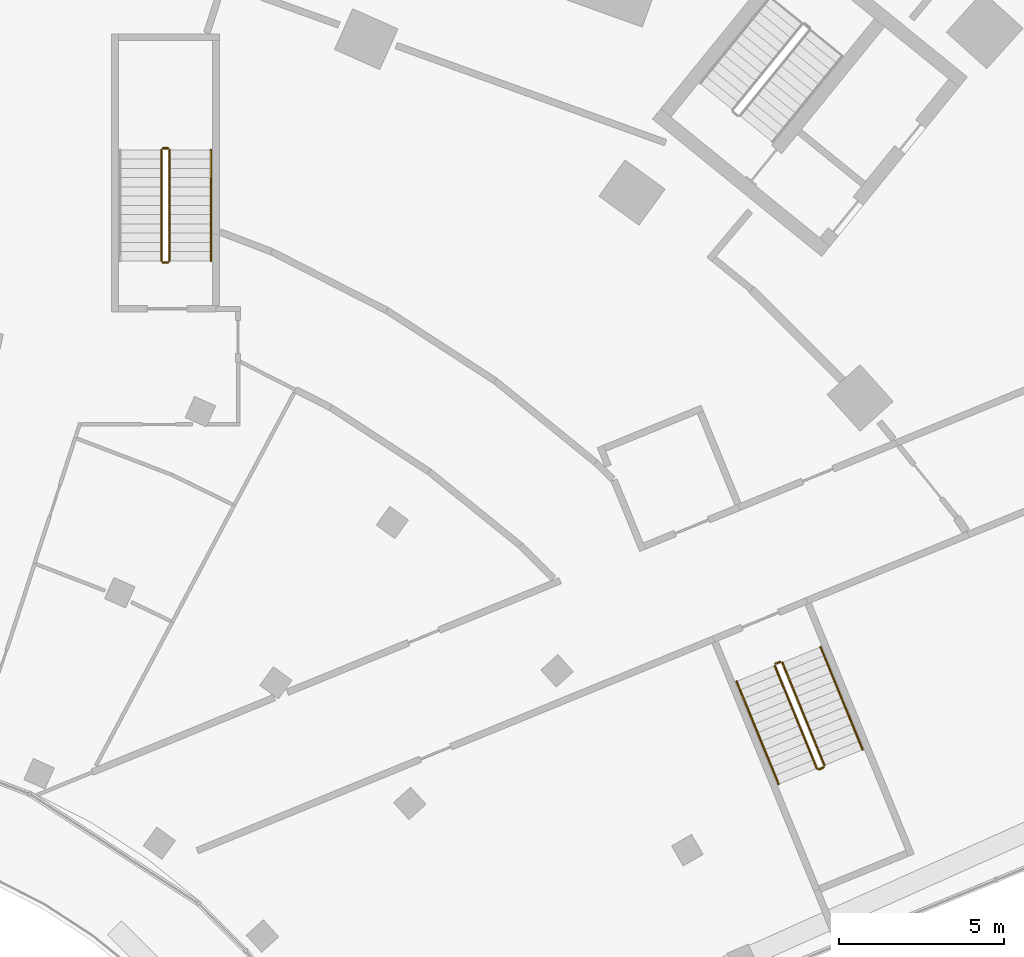
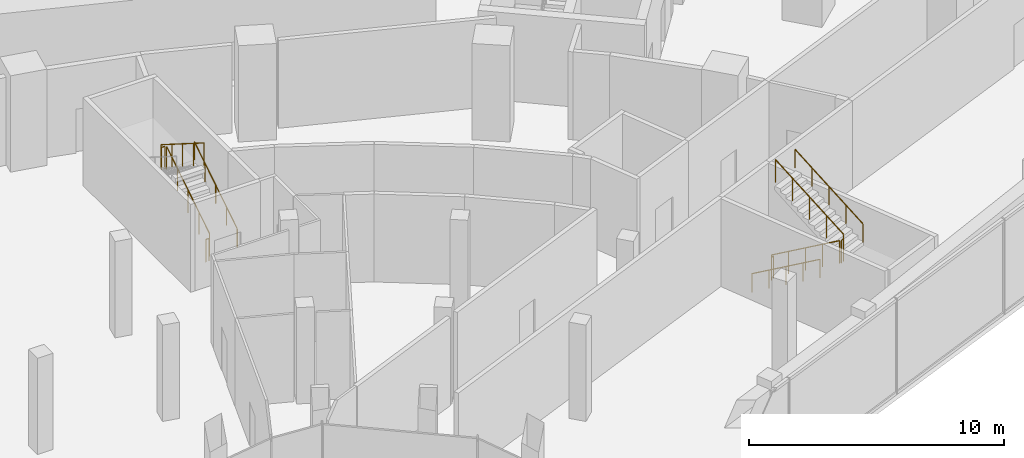
# One storey, part 36 of 40: 11 railings.
"""IFC4 building model written with IfcOpenShell, lengths in metres."""

import ifcopenshell
import ifcopenshell.guid

model = None  # the IFC model being written
_history = None  # IfcOwnerHistory: only IFC2X3 demands one
_inside = {}  # id of a spatial element -> (the spatial element, [elements in it])
_under = {}  # id of a project, library or spatial element -> (it, [spatial elements below it])
_declared = {}  # id of a project -> (the project, [libraries it declares])
_typed = {}  # id of a type object -> (the type object, [elements of that type])
_made_of = {}  # id of a material, layer set ... -> (it, [elements and type objects made of it])


def new_model(schema):
    """Start an empty IFC model of exactly this schema.

    Asked for "IFC4X3", IfcOpenShell would pick the latest addendum, in which some entities
    have other attributes; the version numbers below select the first issue.
    IFC2X3 requires an IfcOwnerHistory on every rooted entity: one is made here for all.
    """
    global model, _history
    if schema == "IFC4X3":
        model = ifcopenshell.file(schema_version=(4, 3, 0, 0))
    else:
        model = ifcopenshell.file(schema=schema)
    _inside.clear()
    _under.clear()
    _declared.clear()
    _typed.clear()
    _made_of.clear()
    _history = None
    if model.schema == "IFC2X3":
        org = make("IfcOrganization", Name="unknown")
        user = make(
            "IfcPersonAndOrganization",
            ThePerson=make("IfcPerson", FamilyName="unknown"),
            TheOrganization=org,
        )
        app = make(
            "IfcApplication",
            ApplicationDeveloper=org,
            Version="unknown",
            ApplicationFullName="unknown",
            ApplicationIdentifier="unknown",
        )
        _history = make(
            "IfcOwnerHistory",
            OwningUser=user,
            OwningApplication=app,
            ChangeAction="ADDED",
            CreationDate=0,
        )
    return model


def make(cls, **values):
    """One entity of the class cls with the attributes given. An attribute that is None is left unset."""
    return model.create_entity(
        cls, **{name: value for name, value in values.items() if value is not None}
    )


def rooted(cls, **values):
    """An entity with a GlobalId (a new one), such as an element, a storey or a relation."""
    return make(cls, GlobalId=ifcopenshell.guid.new(), OwnerHistory=_history, **values)


def si_unit(unit_type, name, prefix=None):
    """IfcSIUnit, for example si_unit("LENGTHUNIT", "METRE", prefix="MILLI")."""
    return make("IfcSIUnit", UnitType=unit_type, Prefix=prefix, Name=name)


def assignment(units):
    """IfcUnitAssignment: the units of a project."""
    return None if units is None else make("IfcUnitAssignment", Units=units)


def point(xyz):
    """IfcCartesianPoint."""
    return None if xyz is None else make("IfcCartesianPoint", Coordinates=xyz)


def direction(xyz):
    """IfcDirection."""
    return None if xyz is None else make("IfcDirection", DirectionRatios=xyz)


def frame(location, z_axis=None, x_axis=None):
    """IfcAxis2Placement3D, a coordinate frame: its origin and axes. An axis left out is left unset."""
    return make(
        "IfcAxis2Placement3D",
        Location=point(location),
        Axis=direction(z_axis),
        RefDirection=direction(x_axis),
    )


def frame_2d(location, x_axis=None):
    """IfcAxis2Placement2D, a coordinate frame in the plane: its origin and x axis."""
    return make(
        "IfcAxis2Placement2D", Location=point(location), RefDirection=direction(x_axis)
    )


def origin():
    """The frame at (0, 0, 0) with its axes left unset."""
    return frame((0.0, 0.0, 0.0))


def origin_2d():
    """The frame at (0, 0) in the plane with its x axis left unset."""
    return frame_2d((0.0, 0.0))


def place(relative_to, where):
    """IfcLocalPlacement: puts the frame where relative to a parent placement (None: the world)."""
    return make(
        "IfcLocalPlacement", PlacementRelTo=relative_to, RelativePlacement=where
    )


def context(
    kind, dimensions, precision=None, world=None, true_north=None, identifier=None
):
    """IfcGeometricRepresentationContext, for example the 3D "Model" context."""
    return make(
        "IfcGeometricRepresentationContext",
        ContextIdentifier=identifier,
        ContextType=kind,
        CoordinateSpaceDimension=dimensions,
        Precision=precision,
        WorldCoordinateSystem=world,
        TrueNorth=true_north,
    )


def subcontext(parent, identifier, kind, view, scale=None):
    """IfcGeometricRepresentationSubContext, for example "Body" below "Model"."""
    return make(
        "IfcGeometricRepresentationSubContext",
        ContextIdentifier=identifier,
        ContextType=kind,
        ParentContext=parent,
        TargetScale=scale,
        TargetView=view,
    )


def project(units=None, contexts=None):
    """IfcProject with its units and contexts."""
    return rooted(
        "IfcProject",
        Name="project",
        RepresentationContexts=contexts,
        UnitsInContext=assignment(units),
    )


def spatial(cls, under=None, at=None, **own):
    """A site, building, storey or space (cls), placed at a placement, below another one or the project."""
    s = rooted(cls, ObjectPlacement=at, **own)
    if under is not None:
        _under.setdefault(under.id(), (under, []))[1].append(s)
    return s


def profile(cls, at=None, kind="AREA", **sizes):
    """A parametric profile (cls). Its sizes go by their IFC names, for example OverallWidth=200.0."""
    return make(cls, ProfileType=kind, Position=at, **sizes)


def circle(**sizes):
    """IfcCircleProfileDef."""
    return profile("IfcCircleProfileDef", **sizes)


def extrude(swept, where, along, depth):
    """IfcExtrudedAreaSolid: the profile swept, set in the frame where, extruded along a direction by depth."""
    return make(
        "IfcExtrudedAreaSolid",
        SweptArea=swept,
        Position=where,
        ExtrudedDirection=direction(along),
        Depth=depth,
    )


def shape(context_of_items, identifier, shape_type, items):
    """IfcShapeRepresentation: the items that make up one representation, for example the "Body"."""
    return make(
        "IfcShapeRepresentation",
        ContextOfItems=context_of_items,
        RepresentationIdentifier=identifier,
        RepresentationType=shape_type,
        Items=items,
    )


def material(Name=None, Category=None):
    """IfcMaterial."""
    return make("IfcMaterial", Name=Name, Category=Category)


def made_of(thing, what):
    """Note that an element or type object is made of a material, layer set ...; save() writes the relation."""
    if what is not None:
        _made_of.setdefault(what.id(), (what, []))[1].append(thing)
    return thing


def type_object(cls, material=None, **own):
    """A type object (cls), such as IfcWallType, which elements share."""
    return made_of(rooted(cls, **own), material)


def element(
    cls,
    number,
    at=None,
    inside=None,
    cuts=None,
    type_object=None,
    material=None,
    context=None,
    identifier="Body",
    shape_type=None,
    held_by="IfcProductDefinitionShape",
    body=None,
    shapes=None,
    **own,
):
    """One element of the class cls, such as IfcWall. Its Tag is "e" and its number.

    at: its placement. inside: the storey or other place that contains it. cuts: it is an
    opening in that element (IfcRelVoidsElement). A single representation is given by context,
    identifier, shape_type and body (its items); several are given by shapes. held_by: the class
    of the entity that holds the representations. save() writes the other relations.
    """
    e = rooted(cls, Tag="e%d" % number, ObjectPlacement=at, **own)
    if body is not None:
        shapes = [shape(context, identifier, shape_type, body)]
    if shapes is not None:
        e.Representation = make(held_by, Representations=shapes)
    if inside is not None:
        _inside.setdefault(inside.id(), (inside, []))[1].append(e)
    if cuts is not None:
        rooted(
            "IfcRelVoidsElement", RelatingBuildingElement=cuts, RelatedOpeningElement=e
        )
    if type_object is not None:
        _typed.setdefault(type_object.id(), (type_object, []))[1].append(e)
    return made_of(e, material)


def aggregate(whole, parts):
    """IfcRelAggregates: a whole, such as a stair, and the parts it consists of."""
    return rooted("IfcRelAggregates", RelatingObject=whole, RelatedObjects=parts)


def save(model, path):
    """Write the relations noted so far, then the file.

    IfcRelAggregates (storeys below a building ...), IfcRelContainedInSpatialStructure (elements
    in a storey), IfcRelDefinesByType, IfcRelAssociatesMaterial and IfcRelDeclares: one each for
    every whole, place, type object, material and project.
    """
    for whole, parts in _under.values():
        aggregate(whole, parts)
    for where, things in _inside.values():
        rooted(
            "IfcRelContainedInSpatialStructure",
            RelatedElements=things,
            RelatingStructure=where,
        )
    for kind, things in _typed.values():
        rooted("IfcRelDefinesByType", RelatedObjects=things, RelatingType=kind)
    for what, things in _made_of.values():
        rooted("IfcRelAssociatesMaterial", RelatedObjects=things, RelatingMaterial=what)
    for by, libraries in _declared.values():
        rooted("IfcRelDeclares", RelatingContext=by, RelatedDefinitions=libraries)
    model.write(path)


model = new_model("IFC4")

# Units and contexts
model_context = context("Model", 3, precision=1e-05, world=origin(), true_north=direction((0.0, 1.0)))
body_context = subcontext(model_context, "Body", "Model", "MODEL_VIEW")
ifc_project = project(units=[si_unit("LENGTHUNIT", "METRE"), si_unit("AREAUNIT", "SQUARE_METRE"), si_unit("VOLUMEUNIT", "CUBIC_METRE"), si_unit("PLANEANGLEUNIT", "RADIAN"), si_unit("MASSUNIT", "GRAM", prefix="KILO")], contexts=[model_context])

# Site, building, storey
site_placement = place(None, origin())
site = spatial("IfcSite", under=ifc_project, at=site_placement, CompositionType="ELEMENT")
building_placement = place(site_placement, origin())
building = spatial("IfcBuilding", under=site, at=building_placement, Name="Stone Belt Terrace Tower", CompositionType="ELEMENT")
storey_placement = place(building_placement, frame((0.0, 0.0, 7.0)))
storey = spatial("IfcBuildingStorey", under=building, at=storey_placement, Name="L01", CompositionType="ELEMENT", Elevation=7.0)

# Railings
ifc_material_1 = material(Name="Steel balustrade", Category="steel")
railing_type_1 = type_object("IfcRailingType", Name="Podium stair guard", PredefinedType="GUARDRAIL", material=ifc_material_1)
railing_1_placement = place(storey_placement, frame((30.445556640625, 21.63232421875, 0.177001953125)))
element("IfcRailing", 1, at=railing_1_placement, inside=storey, type_object=railing_type_1, Name="L01 PS3 stair guard 1", PredefinedType="GUARDRAIL", context=body_context, shape_type="SweptSolid", body=[
    extrude(circle(Radius=0.02392578125, at=origin_2d()), frame((0.0, 0.0, 1.076171875), z_axis=(0.320577273413, -0.782247859152, 0.534152130599), x_axis=(0.92531182595, 0.379207100089, 0.0)), (0.0, 0.0, 1.0), 3.974609375),
    extrude(circle(Radius=0.02099609375, at=origin_2d()), origin(), (0.0, 0.0, 1.0), 1.052001953125),
    extrude(circle(Radius=0.02099609375, at=origin_2d()), frame((0.318603515625, -0.77734375, 0.53076171875)), (0.0, 0.0, 1.0), 1.052001953125),
    extrude(circle(Radius=0.02099609375, at=origin_2d()), frame((0.63720703125, -1.5546875, 1.0615234375)), (0.0, 0.0, 1.0), 1.052001953125),
    extrude(circle(Radius=0.02099609375, at=origin_2d()), frame((0.95556640625, -2.331787109375, 1.59228515625)), (0.0, 0.0, 1.0), 1.052001953125),
    extrude(circle(Radius=0.02099609375, at=origin_2d()), frame((1.274169921875, -3.109130859375, 2.123046875)), (0.0, 0.0, 1.0), 1.052001953125),
])
railing_2_placement = place(storey_placement, frame((31.784912109375, 18.495849609375, 2.300048828125)))
element("IfcRailing", 2, at=railing_2_placement, inside=storey, type_object=railing_type_1, Name="L01 PS3 stair guard 2", PredefinedType="GUARDRAIL", context=body_context, shape_type="SweptSolid", body=[
    extrude(circle(Radius=0.02392578125, at=origin_2d()), frame((0.0, 0.0, 1.076171875), z_axis=(0.925417366351, 0.378949466362, 0.0), x_axis=(-0.378949466362, 0.925417366351, 0.0)), (0.0, 0.0, 1.0), 0.150146484375),
    extrude(circle(Radius=0.02099609375, at=origin_2d()), origin(), (0.0, 0.0, 1.0), 1.052001953125),
    extrude(circle(Radius=0.02099609375, at=origin_2d()), frame((0.138916015625, 0.056884765625, 0.0)), (0.0, 0.0, 1.0), 1.052001953125),
])
railing_3_placement = place(storey_placement, frame((31.951171875, 18.6181640625, 2.476806640625)))
element("IfcRailing", 3, at=railing_3_placement, inside=storey, type_object=railing_type_1, Name="L01 PS3 stair guard 3", PredefinedType="GUARDRAIL", context=body_context, shape_type="SweptSolid", body=[
    extrude(circle(Radius=0.02392578125, at=origin_2d()), frame((0.0, 0.0, 1.076171875), z_axis=(-0.320637269104, 0.782182947274, 0.534211174214), x_axis=(-0.925275877227, -0.379294807533, 0.0)), (0.0, 0.0, 1.0), 3.974609375),
    extrude(circle(Radius=0.02099609375, at=origin_2d()), origin(), (0.0, 0.0, 1.0), 1.052001953125),
    extrude(circle(Radius=0.02099609375, at=origin_2d()), frame((-0.318603515625, 0.77734375, 0.53076171875)), (0.0, 0.0, 1.0), 1.052001953125),
    extrude(circle(Radius=0.02099609375, at=origin_2d()), frame((-0.63720703125, 1.554443359375, 1.0615234375)), (0.0, 0.0, 1.0), 1.052001953125),
    extrude(circle(Radius=0.02099609375, at=origin_2d()), frame((-0.955810546875, 2.33154296875, 1.592529296875)), (0.0, 0.0, 1.0), 1.052001953125),
    extrude(circle(Radius=0.02099609375, at=origin_2d()), frame((-1.2744140625, 3.10888671875, 2.123291015625)), (0.0, 0.0, 1.0), 1.052001953125),
])
railing_4_placement = place(storey_placement, frame((30.472900390625, 21.697509765625, 0.0)))
element("IfcRailing", 4, at=railing_4_placement, inside=storey, type_object=railing_type_1, Name="L01 PS3 stair guard 4", PredefinedType="GUARDRAIL", context=body_context, shape_type="SweptSolid", body=[
    extrude(circle(Radius=0.02392578125, at=origin_2d()), frame((0.0, 0.0, 1.076171875), z_axis=(0.925183283695, 0.379520607572, 0.0), x_axis=(-0.379520607572, 0.925183283695, 0.0)), (0.0, 0.0, 1.0), 0.14990234375),
    extrude(circle(Radius=0.02099609375, at=origin_2d()), origin(), (0.0, 0.0, 1.0), 1.052001953125),
    extrude(circle(Radius=0.02099609375, at=origin_2d()), frame((0.138671875, 0.056884765625, 0.0)), (0.0, 0.0, 1.0), 1.052001953125),
])
railing_5_placement = place(storey_placement, frame((12.125, 33.889892578125, 0.177001953125)))
element("IfcRailing", 5, at=railing_5_placement, inside=storey, type_object=railing_type_1, Name="L01 PS6 stair guard 1", PredefinedType="GUARDRAIL", context=body_context, shape_type="SweptSolid", body=[
    extrude(circle(Radius=0.02392578125, at=origin_2d()), frame((0.0, 0.0, 1.076171875), z_axis=(0.0, 0.845389635667, 0.534150132366), x_axis=(-1.0, 0.0, 0.0)), (0.0, 0.0, 1.0), 3.974609375),
    extrude(circle(Radius=0.02099609375, at=origin_2d()), origin(), (0.0, 0.0, 1.0), 1.052001953125),
    extrude(circle(Radius=0.02099609375, at=origin_2d()), frame((0.0, 0.840087890625, 0.53076171875)), (0.0, 0.0, 1.0), 1.052001953125),
    extrude(circle(Radius=0.02099609375, at=origin_2d()), frame((0.0, 1.68017578125, 1.0615234375)), (0.0, 0.0, 1.0), 1.052001953125),
    extrude(circle(Radius=0.02099609375, at=origin_2d()), frame((0.0, 2.52001953125, 1.59228515625)), (0.0, 0.0, 1.0), 1.052001953125),
    extrude(circle(Radius=0.02099609375, at=origin_2d()), frame((0.0, 3.360107421875, 2.123046875)), (0.0, 0.0, 1.0), 1.052001953125),
])
railing_6_placement = place(storey_placement, frame((12.074951171875, 37.300048828125, 2.300048828125)))
element("IfcRailing", 6, at=railing_6_placement, inside=storey, type_object=railing_type_1, Name="L01 PS6 stair guard 2", PredefinedType="GUARDRAIL", context=body_context, shape_type="SweptSolid", body=[
    extrude(circle(Radius=0.02392578125, at=origin_2d()), frame((0.0, 0.0, 1.076171875), z_axis=(-1.0, 0.0, 0.0), x_axis=(0.0, -1.0, 0.0)), (0.0, 0.0, 1.0), 0.14990234375),
    extrude(circle(Radius=0.02099609375, at=origin_2d()), origin(), (0.0, 0.0, 1.0), 1.052001953125),
    extrude(circle(Radius=0.02099609375, at=origin_2d()), frame((-0.14990234375, 0.0, 0.0)), (0.0, 0.0, 1.0), 1.052001953125),
])
railing_7_placement = place(storey_placement, frame((11.875, 37.25, 2.476806640625)))
element("IfcRailing", 7, at=railing_7_placement, inside=storey, type_object=railing_type_1, Name="L01 PS6 stair guard 3", PredefinedType="GUARDRAIL", context=body_context, shape_type="SweptSolid", body=[
    extrude(circle(Radius=0.02392578125, at=origin_2d()), frame((0.0, 0.0, 1.076171875), z_axis=(0.0, -0.845361898145, 0.534194029511), x_axis=(1.0, 0.0, 0.0)), (0.0, 0.0, 1.0), 3.974853515625),
    extrude(circle(Radius=0.02099609375, at=origin_2d()), origin(), (0.0, 0.0, 1.0), 1.052001953125),
    extrude(circle(Radius=0.02099609375, at=origin_2d()), frame((0.0, -0.840087890625, 0.53076171875)), (0.0, 0.0, 1.0), 1.052001953125),
    extrude(circle(Radius=0.02099609375, at=origin_2d()), frame((0.0, -1.68017578125, 1.0615234375)), (0.0, 0.0, 1.0), 1.052001953125),
    extrude(circle(Radius=0.02099609375, at=origin_2d()), frame((0.0, -2.52001953125, 1.592529296875)), (0.0, 0.0, 1.0), 1.052001953125),
    extrude(circle(Radius=0.02099609375, at=origin_2d()), frame((0.0, -3.360107421875, 2.123291015625)), (0.0, 0.0, 1.0), 1.052001953125),
])
railing_8_placement = place(storey_placement, frame((12.074951171875, 33.840087890625, 0.0)))
element("IfcRailing", 8, at=railing_8_placement, inside=storey, type_object=railing_type_1, Name="L01 PS6 stair guard 4", PredefinedType="GUARDRAIL", context=body_context, shape_type="SweptSolid", body=[
    extrude(circle(Radius=0.02392578125, at=origin_2d()), frame((0.0, 0.0, 1.076171875), z_axis=(-1.0, 0.0, 0.0), x_axis=(0.0, -1.0, 0.0)), (0.0, 0.0, 1.0), 0.14990234375),
    extrude(circle(Radius=0.02099609375, at=origin_2d()), origin(), (0.0, 0.0, 1.0), 1.052001953125),
    extrude(circle(Radius=0.02099609375, at=origin_2d()), frame((-0.14990234375, 0.0, 0.0)), (0.0, 0.0, 1.0), 1.052001953125),
])
ifc_material_2 = material(Name="Stainless steel handrail", Category="steel")
railing_type_2 = type_object("IfcRailingType", Name="Podium stair handrail", PredefinedType="HANDRAIL", material=ifc_material_2)
railing_9_placement = place(storey_placement, frame((29.288818359375, 21.158203125, 0.177001953125)))
element("IfcRailing", 9, at=railing_9_placement, inside=storey, type_object=railing_type_2, Name="L01 PS3 stair handrail 1", PredefinedType="HANDRAIL", context=body_context, shape_type="SweptSolid", body=[
    extrude(circle(Radius=0.02392578125, at=origin_2d()), frame((0.0, 0.0, 0.8759765625), z_axis=(0.320632384185, -0.78223245452, 0.534141611661), x_axis=(0.925286329636, 0.379269308261, 0.0)), (0.0, 0.0, 1.0), 3.974609375),
    extrude(circle(Radius=0.02099609375, at=origin_2d()), origin(), (0.0, 0.0, 1.0), 0.851806640625),
    extrude(circle(Radius=0.02099609375, at=origin_2d()), frame((0.318603515625, -0.77734375, 0.53076171875)), (0.0, 0.0, 1.0), 0.851806640625),
    extrude(circle(Radius=0.02099609375, at=origin_2d()), frame((0.63720703125, -1.5546875, 1.0615234375)), (0.0, 0.0, 1.0), 0.851806640625),
    extrude(circle(Radius=0.02099609375, at=origin_2d()), frame((0.955810546875, -2.331787109375, 1.59228515625)), (0.0, 0.0, 1.0), 0.851806640625),
    extrude(circle(Radius=0.02099609375, at=origin_2d()), frame((1.2744140625, -3.109130859375, 2.123046875)), (0.0, 0.0, 1.0), 0.851806640625),
])
railing_10_placement = place(storey_placement, frame((33.107666015625, 19.092041015625, 2.476806640625)))
element("IfcRailing", 10, at=railing_10_placement, inside=storey, type_object=railing_type_2, Name="L01 PS3 stair handrail 2", PredefinedType="HANDRAIL", context=body_context, shape_type="SweptSolid", body=[
    extrude(circle(Radius=0.02392578125, at=origin_2d()), frame((0.0, 0.0, 0.8759765625), z_axis=(-0.320566755084, 0.782222193141, 0.534196027777), x_axis=(-0.92531182595, -0.379207100089, 0.0)), (0.0, 0.0, 1.0), 3.974853515625),
    extrude(circle(Radius=0.02099609375, at=origin_2d()), origin(), (0.0, 0.0, 1.0), 0.851806640625),
    extrude(circle(Radius=0.02099609375, at=origin_2d()), frame((-0.318603515625, 0.77734375, 0.53076171875)), (0.0, 0.0, 1.0), 0.851806640625),
    extrude(circle(Radius=0.02099609375, at=origin_2d()), frame((-0.63720703125, 1.5546875, 1.0615234375)), (0.0, 0.0, 1.0), 0.851806640625),
    extrude(circle(Radius=0.02099609375, at=origin_2d()), frame((-0.95556640625, 2.331787109375, 1.592529296875)), (0.0, 0.0, 1.0), 0.851806640625),
    extrude(circle(Radius=0.02099609375, at=origin_2d()), frame((-1.274169921875, 3.109130859375, 2.123291015625)), (0.0, 0.0, 1.0), 0.851806640625),
])
railing_11_placement = place(storey_placement, frame((13.375, 33.889892578125, 0.177001953125)))
element("IfcRailing", 11, at=railing_11_placement, inside=storey, type_object=railing_type_2, Name="L01 PS6 stair handrail 1", PredefinedType="HANDRAIL", context=body_context, shape_type="SweptSolid", body=[
    extrude(circle(Radius=0.02392578125, at=origin_2d()), frame((0.0, 0.0, 0.8759765625), z_axis=(0.0, 0.845389635667, 0.534150132366), x_axis=(-1.0, 0.0, 0.0)), (0.0, 0.0, 1.0), 3.974609375),
    extrude(circle(Radius=0.02099609375, at=origin_2d()), origin(), (0.0, 0.0, 1.0), 0.851806640625),
    extrude(circle(Radius=0.02099609375, at=origin_2d()), frame((0.0, 0.840087890625, 0.53076171875)), (0.0, 0.0, 1.0), 0.851806640625),
    extrude(circle(Radius=0.02099609375, at=origin_2d()), frame((0.0, 1.68017578125, 1.0615234375)), (0.0, 0.0, 1.0), 0.851806640625),
    extrude(circle(Radius=0.02099609375, at=origin_2d()), frame((0.0, 2.52001953125, 1.59228515625)), (0.0, 0.0, 1.0), 0.851806640625),
    extrude(circle(Radius=0.02099609375, at=origin_2d()), frame((0.0, 3.360107421875, 2.123046875)), (0.0, 0.0, 1.0), 0.851806640625),
])

save(model, "model.ifc")
